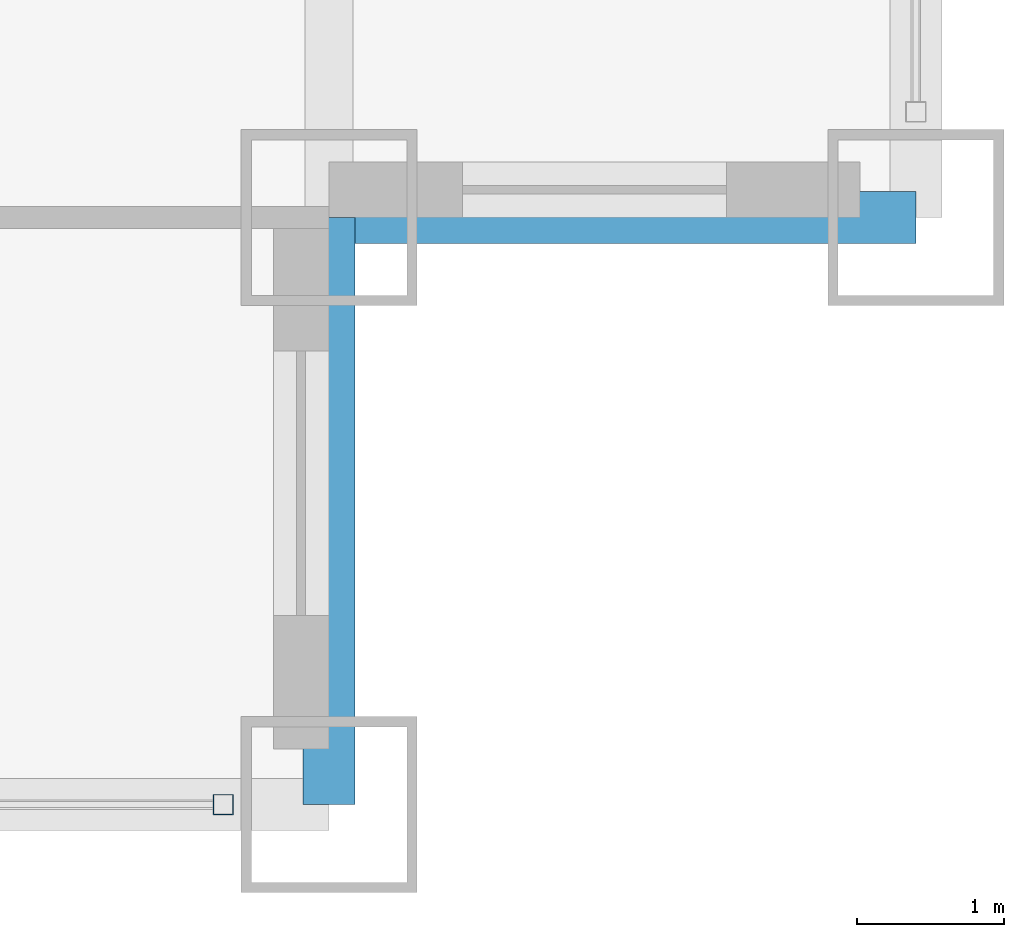
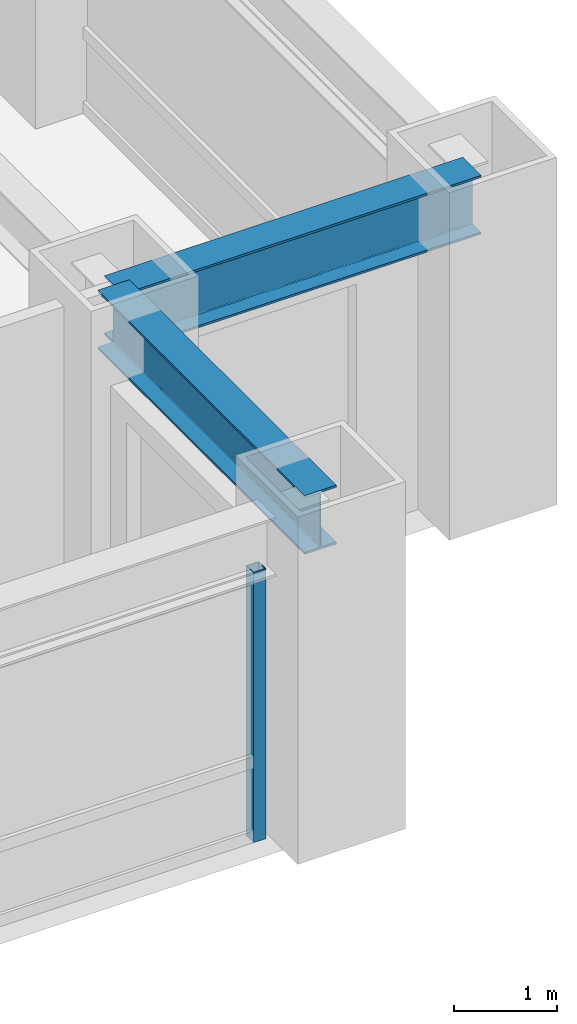
# One storey, part 6 of 27: 2 beams, 1 member, 1 element without a shape of its own.
"""IFC4 building model written with IfcOpenShell, lengths in metres."""

from ifc_helpers import new_model, si_unit, direction, frame, origin, origin_2d, place, context, subcontext, project, spatial, hollow_rectangle, i_section, extrude, source, transform, mapped, material, material_profile, profile_set, type_object, element, aggregate, save


model = new_model("IFC4")

# Units and contexts
model_context = context("Model", 3, precision=1e-05, world=origin(), true_north=direction((0.0, 1.0)))
body_context = subcontext(model_context, "Body", "Model", "MODEL_VIEW")
ifc_project = project(units=[si_unit("LENGTHUNIT", "METRE"), si_unit("AREAUNIT", "SQUARE_METRE"), si_unit("VOLUMEUNIT", "CUBIC_METRE"), si_unit("PLANEANGLEUNIT", "RADIAN"), si_unit("MASSUNIT", "GRAM", prefix="KILO")], contexts=[model_context])

# Site, building, storey
site_placement = place(None, origin())
site = spatial("IfcSite", under=ifc_project, at=site_placement, CompositionType="ELEMENT")
building_placement = place(site_placement, origin())
building = spatial("IfcBuilding", under=site, at=building_placement, Name="Khorayat Bourse Tower", CompositionType="ELEMENT")
storey_placement = place(building_placement, frame((0.0, 0.0, 111.89990234375)))
storey = spatial("IfcBuildingStorey", under=building, at=storey_placement, Name="L25", CompositionType="ELEMENT", Elevation=111.89990234375)

# Beams
ifc_material_1 = material(Name="Steel ASTM A992 Grade 50", Category="steel")
ifc_material_profile_1 = material_profile(ifc_material_1, i_section(OverallWidth=0.35498046875, OverallDepth=0.695068359375, WebThickness=0.015380859375, FlangeThickness=0.02490234375, FilletRadius=0.01806640625, at=origin_2d()), Name="W690X217")
ifc_profile_set_1 = profile_set([ifc_material_profile_1], Name="Steel ASTM A992 Grade 50")
beam_type = type_object("IfcBeamType", Name="BM-SPAN-690", PredefinedType="SPANDREL", material=ifc_profile_set_1)
shared_shape_1 = source(origin(), body_context, "Body", "SweptSolid", [
    extrude(i_section(OverallWidth=0.35498046875, OverallDepth=0.695068359375, WebThickness=0.015380859375, FlangeThickness=0.02490234375, FilletRadius=0.01806640625, at=origin_2d()), origin(), (0.0, 0.0, 1.0), 4.0),
])
for number, where, z_axis, x_axis, name in (
    (1, (28.0, -32.0, 3.49267578125), (0.0, 1.0, 0.0), (-1.0, 0.0, 0.0), "L25 BM-SPAN-690 BM-L25-SPN-032"),
    (2, (28.0, -28.0, 3.49267578125), (1.0, 0.0, 0.0), (0.0, 1.0, 0.0), "L25 BM-SPAN-690 BM-L25-SPN-033"),
):
    element("IfcBeam", number, at=place(storey_placement, frame(where, z_axis=z_axis, x_axis=x_axis)), inside=storey, type_object=beam_type, Name=name, PredefinedType="SPANDREL", context=body_context, shape_type="MappedRepresentation", body=[
        mapped(shared_shape_1, transform((0.0, 0.0, 0.0), scale=1.0)),
    ])

# Curtain wall, member
ifc_material_2 = material(Name="Aluminium EN AW-6063 T6", Category="aluminium")
curtain_wall_type = type_object("IfcCurtainWallType", Name="CW-SYS-02", PredefinedType="NOTDEFINED", material=ifc_material_2)
curtain_wall_placement = place(storey_placement, origin())
curtain_wall = element("IfcCurtainWall", 3, at=curtain_wall_placement, inside=storey, type_object=curtain_wall_type, Name="L25 Curtain Wall CW-L25-S1", PredefinedType="NOTDEFINED")
ifc_material_profile_2 = material_profile(ifc_material_2, hollow_rectangle(XDim=0.139892578125, YDim=0.139892578125, WallThickness=0.006103515625, at=origin_2d()), Name="ALU 140x140x6")
ifc_profile_set_2 = profile_set([ifc_material_profile_2], Name="Aluminium EN AW-6063 T6")
member_type = type_object("IfcMemberType", Name="CWM-VERT-140", PredefinedType="MULLION", material=ifc_profile_set_2)
shared_shape_2 = source(origin(), body_context, "Body", "SweptSolid", [
    extrude(hollow_rectangle(XDim=0.139892578125, YDim=0.139892578125, WallThickness=0.006103515625, at=origin_2d()), origin(), (0.0, 0.0, 1.0), 3.190185546875),
])
member_placement = place(storey_placement, frame((27.280029296875, -32.0, 0.0), z_axis=(0.0, 0.0, 1.0), x_axis=(0.0, 1.0, 0.0)))
member = element("IfcMember", 4, at=member_placement, type_object=member_type, Name="CW-L25-S1 Vertical Mullion 3", PredefinedType="MULLION", context=body_context, shape_type="MappedRepresentation", body=[
    mapped(shared_shape_2, transform((0.0, 0.0, 0.0), scale=1.0)),
])
aggregate(curtain_wall, [member])

save(model, "model.ifc")
